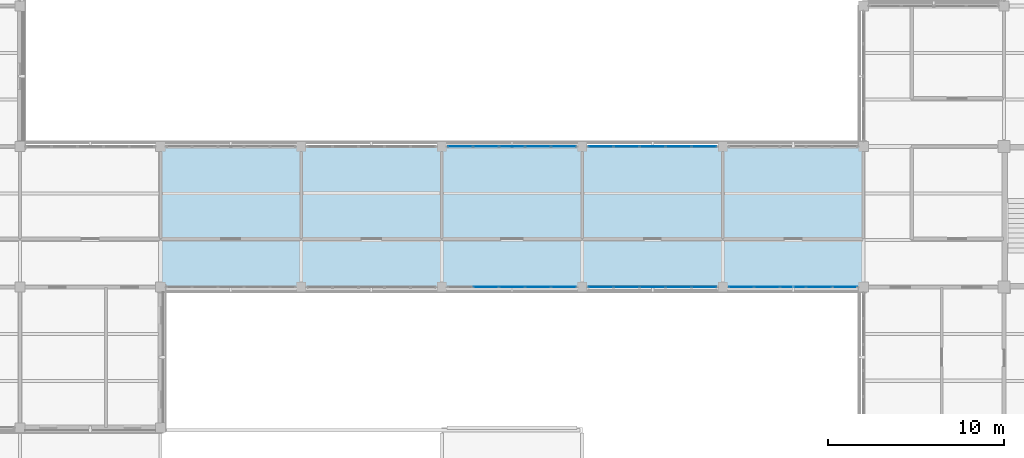
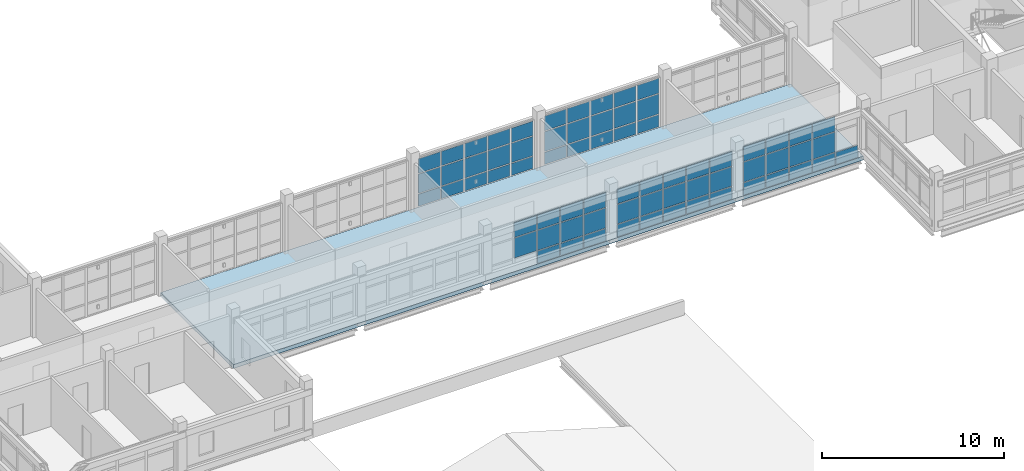
# One storey, part 57 of 107: 69 plates, 1 slab, 5 elements without a shape of their own.
"""IFC4 building model written with IfcOpenShell, lengths in metres."""

from ifc_helpers import new_model, si_unit, derived_unit, direction, frame, origin, origin_2d, place, context, subcontext, project, spatial, polyline, rectangle, outline, extrude, material, layer, layer_set, type_object, element, aggregate, save


model = new_model("IFC4")

# Units and contexts
model_context = context("Model", 3, precision=1e-05, world=origin(), true_north=direction((0.0, 1.0)))
body_context = subcontext(model_context, "Body", "Model", "MODEL_VIEW")
ifc_project = project(units=[si_unit("LENGTHUNIT", "METRE"), si_unit("AREAUNIT", "SQUARE_METRE"), si_unit("VOLUMEUNIT", "CUBIC_METRE"), si_unit("PLANEANGLEUNIT", "RADIAN"), si_unit("MASSUNIT", "GRAM", prefix="KILO"), derived_unit("THERMALTRANSMITTANCEUNIT", [(si_unit("MASSUNIT", "GRAM", prefix="KILO"), 1), (si_unit("TIMEUNIT", "SECOND"), -3), (si_unit("THERMODYNAMICTEMPERATUREUNIT", "KELVIN"), -1)])], contexts=[model_context])

# Site, building, storey
site_placement = place(None, origin())
site = spatial("IfcSite", under=ifc_project, at=site_placement, CompositionType="ELEMENT")
building_placement = place(site_placement, origin())
building = spatial("IfcBuilding", under=site, at=building_placement, Name="Veyamyaing Civic Hall", CompositionType="ELEMENT")
storey_placement = place(building_placement, frame((0.0, 0.0, 13.860107421875)))
storey = spatial("IfcBuildingStorey", under=building, at=storey_placement, Name="L03", CompositionType="ELEMENT", Elevation=13.860107421875)

# Curtain wall, plates
ifc_material_1 = material(Name="Anodised aluminium 6063-T6", Category="aluminium")
ifc_layer_1 = layer(ifc_material_1, 0.139892578125, Name="Anodised aluminium 6063-T6")
ifc_layer_set_1 = layer_set([ifc_layer_1], Name="Anodised aluminium 6063-T6")
curtain_wall_type = type_object("IfcCurtainWallType", Name="CW-04", PredefinedType="NOTDEFINED", material=ifc_layer_set_1)
curtain_wall_1_placement = place(storey_placement, origin())
curtain_wall_1 = element("IfcCurtainWall", 1, at=curtain_wall_1_placement, inside=storey, type_object=curtain_wall_type, Name="Unitized curtain wall CW-04 L03 S 5.7", PredefinedType="NOTDEFINED")
ifc_material_2 = material(Name="Low-E insulated glass", Category="glass")
ifc_layer_2 = layer(ifc_material_2, 0.035888671875, Name="Low-E insulated glass")
ifc_layer_set_2 = layer_set([ifc_layer_2], Name="Low-E insulated glass")
plate_type_1 = type_object("IfcPlateType", Name="CWP-03", PredefinedType="CURTAIN_PANEL", material=ifc_layer_set_2)
plate_1_placement = place(storey_placement, frame((34.52197265625, 48.0, 0.93017578125), z_axis=(0.0, 0.0, 1.0), x_axis=(1.0, 0.0, 0.0)))
plate_1 = element("IfcPlate", 2, at=plate_1_placement, type_object=plate_type_1, Name="CW-04 panel 2.2", PredefinedType="CURTAIN_PANEL", context=body_context, shape_type="SweptSolid", body=[
    extrude(rectangle(XDim=1.41796875, YDim=0.035888671875, at=origin_2d()), origin(), (0.0, 0.0, 1.0), 1.327392578125),
])
plate_2_placement = place(storey_placement, frame((34.52197265625, 48.0, 2.3173828125), z_axis=(0.0, 0.0, 1.0), x_axis=(1.0, 0.0, 0.0)))
plate_2 = element("IfcPlate", 3, at=plate_2_placement, type_object=plate_type_1, Name="CW-04 panel 2.3", PredefinedType="CURTAIN_PANEL", context=body_context, shape_type="SweptSolid", body=[
    extrude(rectangle(XDim=1.41796875, YDim=0.035888671875, at=origin_2d()), origin(), (0.0, 0.0, 1.0), 0.986572265625),
])
plate_3_placement = place(storey_placement, frame((36.0, 48.0, 0.059814453125), z_axis=(0.0, 0.0, 1.0), x_axis=(1.0, 0.0, 0.0)))
plate_3 = element("IfcPlate", 4, at=plate_3_placement, type_object=plate_type_1, Name="CW-04 panel 3.1", PredefinedType="CURTAIN_PANEL", context=body_context, shape_type="SweptSolid", body=[
    extrude(rectangle(XDim=1.41796875, YDim=0.035888671875, at=origin_2d()), origin(), (0.0, 0.0, 1.0), 0.81005859375),
])
plate_4_placement = place(storey_placement, frame((36.0, 48.0, 0.93017578125), z_axis=(0.0, 0.0, 1.0), x_axis=(1.0, 0.0, 0.0)))
plate_4 = element("IfcPlate", 5, at=plate_4_placement, type_object=plate_type_1, Name="CW-04 panel 3.2", PredefinedType="CURTAIN_PANEL", context=body_context, shape_type="SweptSolid", body=[
    extrude(rectangle(XDim=1.41796875, YDim=0.035888671875, at=origin_2d()), origin(), (0.0, 0.0, 1.0), 1.327392578125),
])
plate_5_placement = place(storey_placement, frame((36.0, 48.0, 2.3173828125), z_axis=(0.0, 0.0, 1.0), x_axis=(1.0, 0.0, 0.0)))
plate_5 = element("IfcPlate", 6, at=plate_5_placement, type_object=plate_type_1, Name="CW-04 panel 3.3", PredefinedType="CURTAIN_PANEL", context=body_context, shape_type="SweptSolid", body=[
    extrude(rectangle(XDim=1.41796875, YDim=0.035888671875, at=origin_2d()), origin(), (0.0, 0.0, 1.0), 0.986572265625),
])
plate_6_placement = place(storey_placement, frame((37.47802734375, 48.0, 0.059814453125), z_axis=(0.0, 0.0, 1.0), x_axis=(1.0, 0.0, 0.0)))
plate_6 = element("IfcPlate", 7, at=plate_6_placement, type_object=plate_type_1, Name="CW-04 panel 4.1", PredefinedType="CURTAIN_PANEL", context=body_context, shape_type="SweptSolid", body=[
    extrude(rectangle(XDim=1.41796875, YDim=0.035888671875, at=origin_2d()), origin(), (0.0, 0.0, 1.0), 0.81005859375),
])
plate_7_placement = place(storey_placement, frame((37.47802734375, 48.0, 0.93017578125), z_axis=(0.0, 0.0, 1.0), x_axis=(1.0, 0.0, 0.0)))
plate_7 = element("IfcPlate", 8, at=plate_7_placement, type_object=plate_type_1, Name="CW-04 panel 4.2", PredefinedType="CURTAIN_PANEL", context=body_context, shape_type="SweptSolid", body=[
    extrude(rectangle(XDim=1.41796875, YDim=0.035888671875, at=origin_2d()), origin(), (0.0, 0.0, 1.0), 1.327392578125),
])
plate_8_placement = place(storey_placement, frame((37.47802734375, 48.0, 2.3173828125), z_axis=(0.0, 0.0, 1.0), x_axis=(1.0, 0.0, 0.0)))
plate_8 = element("IfcPlate", 9, at=plate_8_placement, type_object=plate_type_1, Name="CW-04 panel 4.3", PredefinedType="CURTAIN_PANEL", context=body_context, shape_type="SweptSolid", body=[
    extrude(rectangle(XDim=1.41796875, YDim=0.035888671875, at=origin_2d()), origin(), (0.0, 0.0, 1.0), 0.986572265625),
])
plate_9_placement = place(storey_placement, frame((38.94091796875, 48.0, 0.059814453125), z_axis=(0.0, 0.0, 1.0), x_axis=(1.0, 0.0, 0.0)))
plate_9 = element("IfcPlate", 10, at=plate_9_placement, type_object=plate_type_1, Name="CW-04 panel 5.1", PredefinedType="CURTAIN_PANEL", context=body_context, shape_type="SweptSolid", body=[
    extrude(rectangle(XDim=1.387939453125, YDim=0.035888671875, at=origin_2d()), origin(), (0.0, 0.0, 1.0), 0.81005859375),
])
plate_10_placement = place(storey_placement, frame((38.94091796875, 48.0, 0.93017578125), z_axis=(0.0, 0.0, 1.0), x_axis=(1.0, 0.0, 0.0)))
plate_10 = element("IfcPlate", 11, at=plate_10_placement, type_object=plate_type_1, Name="CW-04 panel 5.2", PredefinedType="CURTAIN_PANEL", context=body_context, shape_type="SweptSolid", body=[
    extrude(rectangle(XDim=1.387939453125, YDim=0.035888671875, at=origin_2d()), origin(), (0.0, 0.0, 1.0), 1.327392578125),
])
plate_11_placement = place(storey_placement, frame((38.94091796875, 48.0, 2.3173828125), z_axis=(0.0, 0.0, 1.0), x_axis=(1.0, 0.0, 0.0)))
plate_11 = element("IfcPlate", 12, at=plate_11_placement, type_object=plate_type_1, Name="CW-04 panel 5.3", PredefinedType="CURTAIN_PANEL", context=body_context, shape_type="SweptSolid", body=[
    extrude(rectangle(XDim=1.387939453125, YDim=0.035888671875, at=origin_2d()), origin(), (0.0, 0.0, 1.0), 0.986572265625),
])
aggregate(curtain_wall_1, [plate_1, plate_2, plate_3, plate_4, plate_5, plate_6, plate_7, plate_8, plate_9, plate_10, plate_11])

curtain_wall_2_placement = place(storey_placement, origin())
curtain_wall_2 = element("IfcCurtainWall", 13, at=curtain_wall_2_placement, inside=storey, type_object=curtain_wall_type, Name="Unitized curtain wall CW-04 L03 N 5.7", PredefinedType="NOTDEFINED")
plate_12_placement = place(storey_placement, frame((33.05908203125, 56.0, 0.059814453125), z_axis=(0.0, 0.0, 1.0), x_axis=(1.0, 0.0, 0.0)))
plate_12 = element("IfcPlate", 14, at=plate_12_placement, type_object=plate_type_1, Name="CW-04 panel 1.1", PredefinedType="CURTAIN_PANEL", context=body_context, shape_type="SweptSolid", body=[
    extrude(rectangle(XDim=1.387939453125, YDim=0.035888671875, at=origin_2d()), origin(), (0.0, 0.0, 1.0), 0.81005859375),
])
plate_13_placement = place(storey_placement, frame((33.05908203125, 56.0, 0.929931640625), z_axis=(0.0, 0.0, 1.0), x_axis=(1.0, 0.0, 0.0)))
plate_13 = element("IfcPlate", 15, at=plate_13_placement, type_object=plate_type_1, Name="CW-04 panel 1.2", PredefinedType="CURTAIN_PANEL", context=body_context, shape_type="SweptSolid", body=[
    extrude(rectangle(XDim=1.387939453125, YDim=0.035888671875, at=origin_2d()), origin(), (0.0, 0.0, 1.0), 1.28662109375),
])
plate_14_placement = place(storey_placement, frame((33.05908203125, 56.0, 2.276611328125), z_axis=(0.0, 0.0, 1.0), x_axis=(1.0, 0.0, 0.0)))
plate_14 = element("IfcPlate", 16, at=plate_14_placement, type_object=plate_type_1, Name="CW-04 panel 1.3", PredefinedType="CURTAIN_PANEL", context=body_context, shape_type="SweptSolid", body=[
    extrude(rectangle(XDim=1.387939453125, YDim=0.035888671875, at=origin_2d()), origin(), (0.0, 0.0, 1.0), 0.96728515625),
])
plate_15_placement = place(storey_placement, frame((34.52197265625, 56.0, 0.059814453125), z_axis=(0.0, 0.0, 1.0), x_axis=(1.0, 0.0, 0.0)))
plate_15 = element("IfcPlate", 17, at=plate_15_placement, type_object=plate_type_1, Name="CW-04 panel 2.1", PredefinedType="CURTAIN_PANEL", context=body_context, shape_type="SweptSolid", body=[
    extrude(rectangle(XDim=1.41796875, YDim=0.035888671875, at=origin_2d()), origin(), (0.0, 0.0, 1.0), 0.81005859375),
])
plate_16_placement = place(storey_placement, frame((34.52197265625, 56.0, 0.929931640625), z_axis=(0.0, 0.0, 1.0), x_axis=(1.0, 0.0, 0.0)))
plate_16 = element("IfcPlate", 18, at=plate_16_placement, type_object=plate_type_1, Name="CW-04 panel 2.2", PredefinedType="CURTAIN_PANEL", context=body_context, shape_type="SweptSolid", body=[
    extrude(rectangle(XDim=1.41796875, YDim=0.035888671875, at=origin_2d()), origin(), (0.0, 0.0, 1.0), 1.28662109375),
])
plate_17_placement = place(storey_placement, frame((34.52197265625, 56.0, 2.276611328125), z_axis=(0.0, 0.0, 1.0), x_axis=(1.0, 0.0, 0.0)))
plate_17 = element("IfcPlate", 19, at=plate_17_placement, type_object=plate_type_1, Name="CW-04 panel 2.3", PredefinedType="CURTAIN_PANEL", context=body_context, shape_type="SweptSolid", body=[
    extrude(rectangle(XDim=1.41796875, YDim=0.035888671875, at=origin_2d()), origin(), (0.0, 0.0, 1.0), 0.96728515625),
])
plate_18_placement = place(storey_placement, frame((36.0, 56.0, 0.059814453125), z_axis=(0.0, 0.0, 1.0), x_axis=(1.0, 0.0, 0.0)))
plate_18 = element("IfcPlate", 20, at=plate_18_placement, type_object=plate_type_1, Name="CW-04 panel 3.1", PredefinedType="CURTAIN_PANEL", context=body_context, shape_type="SweptSolid", body=[
    extrude(rectangle(XDim=1.41796875, YDim=0.035888671875, at=origin_2d()), origin(), (0.0, 0.0, 1.0), 0.81005859375),
])
plate_19_placement = place(storey_placement, frame((36.0, 56.0, 0.929931640625), z_axis=(0.0, 0.0, 1.0), x_axis=(1.0, 0.0, 0.0)))
plate_19 = element("IfcPlate", 21, at=plate_19_placement, type_object=plate_type_1, Name="CW-04 panel 3.2", PredefinedType="CURTAIN_PANEL", context=body_context, shape_type="SweptSolid", body=[
    extrude(rectangle(XDim=1.41796875, YDim=0.035888671875, at=origin_2d()), origin(), (0.0, 0.0, 1.0), 1.28662109375),
])
plate_20_placement = place(storey_placement, frame((36.0, 56.0, 2.276611328125), z_axis=(0.0, 0.0, 1.0), x_axis=(1.0, 0.0, 0.0)))
plate_20 = element("IfcPlate", 22, at=plate_20_placement, type_object=plate_type_1, Name="CW-04 panel 3.3", PredefinedType="CURTAIN_PANEL", context=body_context, shape_type="SweptSolid", body=[
    extrude(rectangle(XDim=1.41796875, YDim=0.035888671875, at=origin_2d()), origin(), (0.0, 0.0, 1.0), 0.96728515625),
])
plate_21_placement = place(storey_placement, frame((37.47802734375, 56.0, 0.059814453125), z_axis=(0.0, 0.0, 1.0), x_axis=(1.0, 0.0, 0.0)))
plate_21 = element("IfcPlate", 23, at=plate_21_placement, type_object=plate_type_1, Name="CW-04 panel 4.1", PredefinedType="CURTAIN_PANEL", context=body_context, shape_type="SweptSolid", body=[
    extrude(rectangle(XDim=1.41796875, YDim=0.035888671875, at=origin_2d()), origin(), (0.0, 0.0, 1.0), 0.81005859375),
])
plate_22_placement = place(storey_placement, frame((37.47802734375, 56.0, 0.929931640625), z_axis=(0.0, 0.0, 1.0), x_axis=(1.0, 0.0, 0.0)))
plate_22 = element("IfcPlate", 24, at=plate_22_placement, type_object=plate_type_1, Name="CW-04 panel 4.2", PredefinedType="CURTAIN_PANEL", context=body_context, shape_type="SweptSolid", body=[
    extrude(rectangle(XDim=1.41796875, YDim=0.035888671875, at=origin_2d()), origin(), (0.0, 0.0, 1.0), 1.28662109375),
])
plate_23_placement = place(storey_placement, frame((37.47802734375, 56.0, 2.276611328125), z_axis=(0.0, 0.0, 1.0), x_axis=(1.0, 0.0, 0.0)))
plate_23 = element("IfcPlate", 25, at=plate_23_placement, type_object=plate_type_1, Name="CW-04 panel 4.3", PredefinedType="CURTAIN_PANEL", context=body_context, shape_type="SweptSolid", body=[
    extrude(rectangle(XDim=1.41796875, YDim=0.035888671875, at=origin_2d()), origin(), (0.0, 0.0, 1.0), 0.96728515625),
])
plate_24_placement = place(storey_placement, frame((38.94091796875, 56.0, 0.059814453125), z_axis=(0.0, 0.0, 1.0), x_axis=(1.0, 0.0, 0.0)))
plate_24 = element("IfcPlate", 26, at=plate_24_placement, type_object=plate_type_1, Name="CW-04 panel 5.1", PredefinedType="CURTAIN_PANEL", context=body_context, shape_type="SweptSolid", body=[
    extrude(rectangle(XDim=1.387939453125, YDim=0.035888671875, at=origin_2d()), origin(), (0.0, 0.0, 1.0), 0.81005859375),
])
plate_25_placement = place(storey_placement, frame((38.94091796875, 56.0, 0.929931640625), z_axis=(0.0, 0.0, 1.0), x_axis=(1.0, 0.0, 0.0)))
plate_25 = element("IfcPlate", 27, at=plate_25_placement, type_object=plate_type_1, Name="CW-04 panel 5.2", PredefinedType="CURTAIN_PANEL", context=body_context, shape_type="SweptSolid", body=[
    extrude(rectangle(XDim=1.387939453125, YDim=0.035888671875, at=origin_2d()), origin(), (0.0, 0.0, 1.0), 1.28662109375),
])
plate_26_placement = place(storey_placement, frame((38.94091796875, 56.0, 2.276611328125), z_axis=(0.0, 0.0, 1.0), x_axis=(1.0, 0.0, 0.0)))
plate_26 = element("IfcPlate", 28, at=plate_26_placement, type_object=plate_type_1, Name="CW-04 panel 5.3", PredefinedType="CURTAIN_PANEL", context=body_context, shape_type="SweptSolid", body=[
    extrude(rectangle(XDim=1.387939453125, YDim=0.035888671875, at=origin_2d()), origin(), (0.0, 0.0, 1.0), 0.96728515625),
])
aggregate(curtain_wall_2, [plate_12, plate_13, plate_14, plate_15, plate_16, plate_17, plate_18, plate_19, plate_20, plate_21, plate_22, plate_23, plate_24, plate_25, plate_26])

curtain_wall_3_placement = place(storey_placement, origin())
curtain_wall_3 = element("IfcCurtainWall", 29, at=curtain_wall_3_placement, inside=storey, type_object=curtain_wall_type, Name="Unitized curtain wall CW-04 L03 S 6.7", PredefinedType="NOTDEFINED")
ifc_layer_3 = layer(ifc_material_2, 0.02392578125, Name="Low-E insulated glass")
ifc_layer_set_3 = layer_set([ifc_layer_3], Name="Low-E insulated glass")
plate_type_2 = type_object("IfcPlateType", Name="CWP-04", PredefinedType="CURTAIN_PANEL", material=ifc_layer_set_3)
plate_27_placement = place(storey_placement, frame((41.05908203125, 48.0, 0.059814453125), z_axis=(0.0, 0.0, 1.0), x_axis=(1.0, 0.0, 0.0)))
plate_27 = element("IfcPlate", 30, at=plate_27_placement, type_object=plate_type_2, Name="CW-04 panel 1.1", PredefinedType="CURTAIN_PANEL", context=body_context, shape_type="SweptSolid", body=[
    extrude(rectangle(XDim=1.387939453125, YDim=0.02392578125, at=origin_2d()), origin(), (0.0, 0.0, 1.0), 0.81005859375),
])
plate_28_placement = place(storey_placement, frame((41.05908203125, 48.0, 0.929931640625), z_axis=(0.0, 0.0, 1.0), x_axis=(1.0, 0.0, 0.0)))
plate_28 = element("IfcPlate", 31, at=plate_28_placement, type_object=plate_type_2, Name="CW-04 panel 1.2", PredefinedType="CURTAIN_PANEL", context=body_context, shape_type="SweptSolid", body=[
    extrude(rectangle(XDim=1.387939453125, YDim=0.02392578125, at=origin_2d()), origin(), (0.0, 0.0, 1.0), 1.28662109375),
])
plate_29_placement = place(storey_placement, frame((41.05908203125, 48.0, 2.276611328125), z_axis=(0.0, 0.0, 1.0), x_axis=(1.0, 0.0, 0.0)))
plate_29 = element("IfcPlate", 32, at=plate_29_placement, type_object=plate_type_2, Name="CW-04 panel 1.3", PredefinedType="CURTAIN_PANEL", context=body_context, shape_type="SweptSolid", body=[
    extrude(rectangle(XDim=1.387939453125, YDim=0.02392578125, at=origin_2d()), origin(), (0.0, 0.0, 1.0), 0.96728515625),
])
plate_30_placement = place(storey_placement, frame((42.52197265625, 48.0, 0.059814453125), z_axis=(0.0, 0.0, 1.0), x_axis=(1.0, 0.0, 0.0)))
plate_30 = element("IfcPlate", 33, at=plate_30_placement, type_object=plate_type_2, Name="CW-04 panel 2.1", PredefinedType="CURTAIN_PANEL", context=body_context, shape_type="SweptSolid", body=[
    extrude(rectangle(XDim=1.41796875, YDim=0.02392578125, at=origin_2d()), origin(), (0.0, 0.0, 1.0), 0.81005859375),
])
plate_31_placement = place(storey_placement, frame((42.52197265625, 48.0, 0.929931640625), z_axis=(0.0, 0.0, 1.0), x_axis=(1.0, 0.0, 0.0)))
plate_31 = element("IfcPlate", 34, at=plate_31_placement, type_object=plate_type_2, Name="CW-04 panel 2.2", PredefinedType="CURTAIN_PANEL", context=body_context, shape_type="SweptSolid", body=[
    extrude(rectangle(XDim=1.41796875, YDim=0.02392578125, at=origin_2d()), origin(), (0.0, 0.0, 1.0), 1.28662109375),
])
plate_32_placement = place(storey_placement, frame((42.52197265625, 48.0, 2.276611328125), z_axis=(0.0, 0.0, 1.0), x_axis=(1.0, 0.0, 0.0)))
plate_32 = element("IfcPlate", 35, at=plate_32_placement, type_object=plate_type_2, Name="CW-04 panel 2.3", PredefinedType="CURTAIN_PANEL", context=body_context, shape_type="SweptSolid", body=[
    extrude(rectangle(XDim=1.41796875, YDim=0.02392578125, at=origin_2d()), origin(), (0.0, 0.0, 1.0), 0.96728515625),
])
plate_33_placement = place(storey_placement, frame((44.0, 48.0, 0.059814453125), z_axis=(0.0, 0.0, 1.0), x_axis=(1.0, 0.0, 0.0)))
plate_33 = element("IfcPlate", 36, at=plate_33_placement, type_object=plate_type_2, Name="CW-04 panel 3.1", PredefinedType="CURTAIN_PANEL", context=body_context, shape_type="SweptSolid", body=[
    extrude(rectangle(XDim=1.41796875, YDim=0.02392578125, at=origin_2d()), origin(), (0.0, 0.0, 1.0), 0.81005859375),
])
plate_34_placement = place(storey_placement, frame((44.0, 48.0, 0.929931640625), z_axis=(0.0, 0.0, 1.0), x_axis=(1.0, 0.0, 0.0)))
plate_34 = element("IfcPlate", 37, at=plate_34_placement, type_object=plate_type_2, Name="CW-04 panel 3.2", PredefinedType="CURTAIN_PANEL", context=body_context, shape_type="SweptSolid", body=[
    extrude(rectangle(XDim=1.41796875, YDim=0.02392578125, at=origin_2d()), origin(), (0.0, 0.0, 1.0), 1.28662109375),
])
plate_35_placement = place(storey_placement, frame((44.0, 48.0, 2.276611328125), z_axis=(0.0, 0.0, 1.0), x_axis=(1.0, 0.0, 0.0)))
plate_35 = element("IfcPlate", 38, at=plate_35_placement, type_object=plate_type_2, Name="CW-04 panel 3.3", PredefinedType="CURTAIN_PANEL", context=body_context, shape_type="SweptSolid", body=[
    extrude(rectangle(XDim=1.41796875, YDim=0.02392578125, at=origin_2d()), origin(), (0.0, 0.0, 1.0), 0.96728515625),
])
plate_36_placement = place(storey_placement, frame((45.47802734375, 48.0, 0.059814453125), z_axis=(0.0, 0.0, 1.0), x_axis=(1.0, 0.0, 0.0)))
plate_36 = element("IfcPlate", 39, at=plate_36_placement, type_object=plate_type_2, Name="CW-04 panel 4.1", PredefinedType="CURTAIN_PANEL", context=body_context, shape_type="SweptSolid", body=[
    extrude(rectangle(XDim=1.41796875, YDim=0.02392578125, at=origin_2d()), origin(), (0.0, 0.0, 1.0), 0.81005859375),
])
plate_37_placement = place(storey_placement, frame((45.47802734375, 48.0, 0.929931640625), z_axis=(0.0, 0.0, 1.0), x_axis=(1.0, 0.0, 0.0)))
plate_37 = element("IfcPlate", 40, at=plate_37_placement, type_object=plate_type_2, Name="CW-04 panel 4.2", PredefinedType="CURTAIN_PANEL", context=body_context, shape_type="SweptSolid", body=[
    extrude(rectangle(XDim=1.41796875, YDim=0.02392578125, at=origin_2d()), origin(), (0.0, 0.0, 1.0), 1.28662109375),
])
plate_38_placement = place(storey_placement, frame((45.47802734375, 48.0, 2.276611328125), z_axis=(0.0, 0.0, 1.0), x_axis=(1.0, 0.0, 0.0)))
plate_38 = element("IfcPlate", 41, at=plate_38_placement, type_object=plate_type_2, Name="CW-04 panel 4.3", PredefinedType="CURTAIN_PANEL", context=body_context, shape_type="SweptSolid", body=[
    extrude(rectangle(XDim=1.41796875, YDim=0.02392578125, at=origin_2d()), origin(), (0.0, 0.0, 1.0), 0.96728515625),
])
plate_39_placement = place(storey_placement, frame((46.94091796875, 48.0, 0.059814453125), z_axis=(0.0, 0.0, 1.0), x_axis=(1.0, 0.0, 0.0)))
plate_39 = element("IfcPlate", 42, at=plate_39_placement, type_object=plate_type_2, Name="CW-04 panel 5.1", PredefinedType="CURTAIN_PANEL", context=body_context, shape_type="SweptSolid", body=[
    extrude(rectangle(XDim=1.387939453125, YDim=0.02392578125, at=origin_2d()), origin(), (0.0, 0.0, 1.0), 0.81005859375),
])
plate_40_placement = place(storey_placement, frame((46.94091796875, 48.0, 0.929931640625), z_axis=(0.0, 0.0, 1.0), x_axis=(1.0, 0.0, 0.0)))
plate_40 = element("IfcPlate", 43, at=plate_40_placement, type_object=plate_type_2, Name="CW-04 panel 5.2", PredefinedType="CURTAIN_PANEL", context=body_context, shape_type="SweptSolid", body=[
    extrude(rectangle(XDim=1.387939453125, YDim=0.02392578125, at=origin_2d()), origin(), (0.0, 0.0, 1.0), 1.28662109375),
])
plate_41_placement = place(storey_placement, frame((46.94091796875, 48.0, 2.276611328125), z_axis=(0.0, 0.0, 1.0), x_axis=(1.0, 0.0, 0.0)))
plate_41 = element("IfcPlate", 44, at=plate_41_placement, type_object=plate_type_2, Name="CW-04 panel 5.3", PredefinedType="CURTAIN_PANEL", context=body_context, shape_type="SweptSolid", body=[
    extrude(rectangle(XDim=1.387939453125, YDim=0.02392578125, at=origin_2d()), origin(), (0.0, 0.0, 1.0), 0.96728515625),
])
aggregate(curtain_wall_3, [plate_27, plate_28, plate_29, plate_30, plate_31, plate_32, plate_33, plate_34, plate_35, plate_36, plate_37, plate_38, plate_39, plate_40, plate_41])

curtain_wall_4_placement = place(storey_placement, origin())
curtain_wall_4 = element("IfcCurtainWall", 45, at=curtain_wall_4_placement, inside=storey, type_object=curtain_wall_type, Name="Unitized curtain wall CW-04 L03 N 6.7", PredefinedType="NOTDEFINED")
plate_42_placement = place(storey_placement, frame((41.05908203125, 56.0, 0.059814453125), z_axis=(0.0, 0.0, 1.0), x_axis=(1.0, 0.0, 0.0)))
plate_42 = element("IfcPlate", 46, at=plate_42_placement, type_object=plate_type_2, Name="CW-04 panel 1.1", PredefinedType="CURTAIN_PANEL", context=body_context, shape_type="SweptSolid", body=[
    extrude(rectangle(XDim=1.387939453125, YDim=0.02392578125, at=origin_2d()), origin(), (0.0, 0.0, 1.0), 0.81005859375),
])
plate_43_placement = place(storey_placement, frame((41.05908203125, 56.0, 0.929931640625), z_axis=(0.0, 0.0, 1.0), x_axis=(1.0, 0.0, 0.0)))
plate_43 = element("IfcPlate", 47, at=plate_43_placement, type_object=plate_type_2, Name="CW-04 panel 1.2", PredefinedType="CURTAIN_PANEL", context=body_context, shape_type="SweptSolid", body=[
    extrude(rectangle(XDim=1.387939453125, YDim=0.02392578125, at=origin_2d()), origin(), (0.0, 0.0, 1.0), 1.32958984375),
])
plate_44_placement = place(storey_placement, frame((41.05908203125, 56.0, 2.319580078125), z_axis=(0.0, 0.0, 1.0), x_axis=(1.0, 0.0, 0.0)))
plate_44 = element("IfcPlate", 48, at=plate_44_placement, type_object=plate_type_2, Name="CW-04 panel 1.3", PredefinedType="CURTAIN_PANEL", context=body_context, shape_type="SweptSolid", body=[
    extrude(rectangle(XDim=1.387939453125, YDim=0.02392578125, at=origin_2d()), origin(), (0.0, 0.0, 1.0), 0.9873046875),
])
plate_45_placement = place(storey_placement, frame((42.52197265625, 56.0, 0.059814453125), z_axis=(0.0, 0.0, 1.0), x_axis=(1.0, 0.0, 0.0)))
plate_45 = element("IfcPlate", 49, at=plate_45_placement, type_object=plate_type_2, Name="CW-04 panel 2.1", PredefinedType="CURTAIN_PANEL", context=body_context, shape_type="SweptSolid", body=[
    extrude(rectangle(XDim=1.41796875, YDim=0.02392578125, at=origin_2d()), origin(), (0.0, 0.0, 1.0), 0.81005859375),
])
plate_46_placement = place(storey_placement, frame((42.52197265625, 56.0, 0.929931640625), z_axis=(0.0, 0.0, 1.0), x_axis=(1.0, 0.0, 0.0)))
plate_46 = element("IfcPlate", 50, at=plate_46_placement, type_object=plate_type_2, Name="CW-04 panel 2.2", PredefinedType="CURTAIN_PANEL", context=body_context, shape_type="SweptSolid", body=[
    extrude(rectangle(XDim=1.41796875, YDim=0.02392578125, at=origin_2d()), origin(), (0.0, 0.0, 1.0), 1.32958984375),
])
plate_47_placement = place(storey_placement, frame((42.52197265625, 56.0, 2.319580078125), z_axis=(0.0, 0.0, 1.0), x_axis=(1.0, 0.0, 0.0)))
plate_47 = element("IfcPlate", 51, at=plate_47_placement, type_object=plate_type_2, Name="CW-04 panel 2.3", PredefinedType="CURTAIN_PANEL", context=body_context, shape_type="SweptSolid", body=[
    extrude(rectangle(XDim=1.41796875, YDim=0.02392578125, at=origin_2d()), origin(), (0.0, 0.0, 1.0), 0.9873046875),
])
plate_48_placement = place(storey_placement, frame((44.0, 56.0, 0.059814453125), z_axis=(0.0, 0.0, 1.0), x_axis=(1.0, 0.0, 0.0)))
plate_48 = element("IfcPlate", 52, at=plate_48_placement, type_object=plate_type_2, Name="CW-04 panel 3.1", PredefinedType="CURTAIN_PANEL", context=body_context, shape_type="SweptSolid", body=[
    extrude(rectangle(XDim=1.41796875, YDim=0.02392578125, at=origin_2d()), origin(), (0.0, 0.0, 1.0), 0.81005859375),
])
plate_49_placement = place(storey_placement, frame((44.0, 56.0, 0.929931640625), z_axis=(0.0, 0.0, 1.0), x_axis=(1.0, 0.0, 0.0)))
plate_49 = element("IfcPlate", 53, at=plate_49_placement, type_object=plate_type_2, Name="CW-04 panel 3.2", PredefinedType="CURTAIN_PANEL", context=body_context, shape_type="SweptSolid", body=[
    extrude(rectangle(XDim=1.41796875, YDim=0.02392578125, at=origin_2d()), origin(), (0.0, 0.0, 1.0), 1.32958984375),
])
plate_50_placement = place(storey_placement, frame((44.0, 56.0, 2.319580078125), z_axis=(0.0, 0.0, 1.0), x_axis=(1.0, 0.0, 0.0)))
plate_50 = element("IfcPlate", 54, at=plate_50_placement, type_object=plate_type_2, Name="CW-04 panel 3.3", PredefinedType="CURTAIN_PANEL", context=body_context, shape_type="SweptSolid", body=[
    extrude(rectangle(XDim=1.41796875, YDim=0.02392578125, at=origin_2d()), origin(), (0.0, 0.0, 1.0), 0.9873046875),
])
plate_51_placement = place(storey_placement, frame((45.47802734375, 56.0, 0.059814453125), z_axis=(0.0, 0.0, 1.0), x_axis=(1.0, 0.0, 0.0)))
plate_51 = element("IfcPlate", 55, at=plate_51_placement, type_object=plate_type_2, Name="CW-04 panel 4.1", PredefinedType="CURTAIN_PANEL", context=body_context, shape_type="SweptSolid", body=[
    extrude(rectangle(XDim=1.41796875, YDim=0.02392578125, at=origin_2d()), origin(), (0.0, 0.0, 1.0), 0.81005859375),
])
plate_52_placement = place(storey_placement, frame((45.47802734375, 56.0, 0.929931640625), z_axis=(0.0, 0.0, 1.0), x_axis=(1.0, 0.0, 0.0)))
plate_52 = element("IfcPlate", 56, at=plate_52_placement, type_object=plate_type_2, Name="CW-04 panel 4.2", PredefinedType="CURTAIN_PANEL", context=body_context, shape_type="SweptSolid", body=[
    extrude(rectangle(XDim=1.41796875, YDim=0.02392578125, at=origin_2d()), origin(), (0.0, 0.0, 1.0), 1.32958984375),
])
plate_53_placement = place(storey_placement, frame((45.47802734375, 56.0, 2.319580078125), z_axis=(0.0, 0.0, 1.0), x_axis=(1.0, 0.0, 0.0)))
plate_53 = element("IfcPlate", 57, at=plate_53_placement, type_object=plate_type_2, Name="CW-04 panel 4.3", PredefinedType="CURTAIN_PANEL", context=body_context, shape_type="SweptSolid", body=[
    extrude(rectangle(XDim=1.41796875, YDim=0.02392578125, at=origin_2d()), origin(), (0.0, 0.0, 1.0), 0.9873046875),
])
plate_54_placement = place(storey_placement, frame((46.94091796875, 56.0, 0.059814453125), z_axis=(0.0, 0.0, 1.0), x_axis=(1.0, 0.0, 0.0)))
plate_54 = element("IfcPlate", 58, at=plate_54_placement, type_object=plate_type_2, Name="CW-04 panel 5.1", PredefinedType="CURTAIN_PANEL", context=body_context, shape_type="SweptSolid", body=[
    extrude(rectangle(XDim=1.387939453125, YDim=0.02392578125, at=origin_2d()), origin(), (0.0, 0.0, 1.0), 0.81005859375),
])
plate_55_placement = place(storey_placement, frame((46.94091796875, 56.0, 0.929931640625), z_axis=(0.0, 0.0, 1.0), x_axis=(1.0, 0.0, 0.0)))
plate_55 = element("IfcPlate", 59, at=plate_55_placement, type_object=plate_type_2, Name="CW-04 panel 5.2", PredefinedType="CURTAIN_PANEL", context=body_context, shape_type="SweptSolid", body=[
    extrude(rectangle(XDim=1.387939453125, YDim=0.02392578125, at=origin_2d()), origin(), (0.0, 0.0, 1.0), 1.32958984375),
])
plate_56_placement = place(storey_placement, frame((46.94091796875, 56.0, 2.319580078125), z_axis=(0.0, 0.0, 1.0), x_axis=(1.0, 0.0, 0.0)))
plate_56 = element("IfcPlate", 60, at=plate_56_placement, type_object=plate_type_2, Name="CW-04 panel 5.3", PredefinedType="CURTAIN_PANEL", context=body_context, shape_type="SweptSolid", body=[
    extrude(rectangle(XDim=1.387939453125, YDim=0.02392578125, at=origin_2d()), origin(), (0.0, 0.0, 1.0), 0.9873046875),
])
aggregate(curtain_wall_4, [plate_42, plate_43, plate_44, plate_45, plate_46, plate_47, plate_48, plate_49, plate_50, plate_51, plate_52, plate_53, plate_54, plate_55, plate_56])

curtain_wall_5_placement = place(storey_placement, origin())
curtain_wall_5 = element("IfcCurtainWall", 61, at=curtain_wall_5_placement, inside=storey, type_object=curtain_wall_type, Name="Unitized curtain wall CW-04 L03 S 7.7", PredefinedType="NOTDEFINED")
ifc_layer_4 = layer(ifc_material_2, 0.0400390625, Name="Low-E insulated glass")
ifc_layer_set_4 = layer_set([ifc_layer_4], Name="Low-E insulated glass")
plate_type_3 = type_object("IfcPlateType", Name="CWP-05", PredefinedType="CURTAIN_PANEL", material=ifc_layer_set_4)
plate_57_placement = place(storey_placement, frame((49.05908203125, 48.0, 0.059814453125), z_axis=(0.0, 0.0, 1.0), x_axis=(1.0, 0.0, 0.0)))
plate_57 = element("IfcPlate", 62, at=plate_57_placement, type_object=plate_type_3, Name="CW-04 panel 1.1", PredefinedType="CURTAIN_PANEL", context=body_context, shape_type="SweptSolid", body=[
    extrude(rectangle(XDim=1.387939453125, YDim=0.0400390625, at=origin_2d()), origin(), (0.0, 0.0, 1.0), 0.81005859375),
])
plate_58_placement = place(storey_placement, frame((49.05908203125, 48.0, 0.929931640625), z_axis=(0.0, 0.0, 1.0), x_axis=(1.0, 0.0, 0.0)))
plate_58 = element("IfcPlate", 63, at=plate_58_placement, type_object=plate_type_3, Name="CW-04 panel 1.2", PredefinedType="CURTAIN_PANEL", context=body_context, shape_type="SweptSolid", body=[
    extrude(rectangle(XDim=1.387939453125, YDim=0.0400390625, at=origin_2d()), origin(), (0.0, 0.0, 1.0), 1.32958984375),
])
plate_59_placement = place(storey_placement, frame((49.05908203125, 48.0, 2.319580078125), z_axis=(0.0, 0.0, 1.0), x_axis=(1.0, 0.0, 0.0)))
plate_59 = element("IfcPlate", 64, at=plate_59_placement, type_object=plate_type_3, Name="CW-04 panel 1.3", PredefinedType="CURTAIN_PANEL", context=body_context, shape_type="SweptSolid", body=[
    extrude(rectangle(XDim=1.387939453125, YDim=0.0400390625, at=origin_2d()), origin(), (0.0, 0.0, 1.0), 0.9873046875),
])
plate_60_placement = place(storey_placement, frame((50.52197265625, 48.0, 0.059814453125), z_axis=(0.0, 0.0, 1.0), x_axis=(1.0, 0.0, 0.0)))
plate_60 = element("IfcPlate", 65, at=plate_60_placement, type_object=plate_type_3, Name="CW-04 panel 2.1", PredefinedType="CURTAIN_PANEL", context=body_context, shape_type="SweptSolid", body=[
    extrude(rectangle(XDim=1.41796875, YDim=0.0400390625, at=origin_2d()), origin(), (0.0, 0.0, 1.0), 0.81005859375),
])
plate_61_placement = place(storey_placement, frame((50.52197265625, 48.0, 0.929931640625), z_axis=(0.0, 0.0, 1.0), x_axis=(1.0, 0.0, 0.0)))
plate_61 = element("IfcPlate", 66, at=plate_61_placement, type_object=plate_type_3, Name="CW-04 panel 2.2", PredefinedType="CURTAIN_PANEL", context=body_context, shape_type="SweptSolid", body=[
    extrude(rectangle(XDim=1.41796875, YDim=0.0400390625, at=origin_2d()), origin(), (0.0, 0.0, 1.0), 1.32958984375),
])
plate_62_placement = place(storey_placement, frame((50.52197265625, 48.0, 2.319580078125), z_axis=(0.0, 0.0, 1.0), x_axis=(1.0, 0.0, 0.0)))
plate_62 = element("IfcPlate", 67, at=plate_62_placement, type_object=plate_type_3, Name="CW-04 panel 2.3", PredefinedType="CURTAIN_PANEL", context=body_context, shape_type="SweptSolid", body=[
    extrude(rectangle(XDim=1.41796875, YDim=0.0400390625, at=origin_2d()), origin(), (0.0, 0.0, 1.0), 0.9873046875),
])
plate_63_placement = place(storey_placement, frame((52.0, 48.0, 0.059814453125), z_axis=(0.0, 0.0, 1.0), x_axis=(1.0, 0.0, 0.0)))
plate_63 = element("IfcPlate", 68, at=plate_63_placement, type_object=plate_type_3, Name="CW-04 panel 3.1", PredefinedType="CURTAIN_PANEL", context=body_context, shape_type="SweptSolid", body=[
    extrude(rectangle(XDim=1.41796875, YDim=0.0400390625, at=origin_2d()), origin(), (0.0, 0.0, 1.0), 0.81005859375),
])
plate_64_placement = place(storey_placement, frame((52.0, 48.0, 0.929931640625), z_axis=(0.0, 0.0, 1.0), x_axis=(1.0, 0.0, 0.0)))
plate_64 = element("IfcPlate", 69, at=plate_64_placement, type_object=plate_type_3, Name="CW-04 panel 3.2", PredefinedType="CURTAIN_PANEL", context=body_context, shape_type="SweptSolid", body=[
    extrude(rectangle(XDim=1.41796875, YDim=0.0400390625, at=origin_2d()), origin(), (0.0, 0.0, 1.0), 1.32958984375),
])
plate_65_placement = place(storey_placement, frame((52.0, 48.0, 2.319580078125), z_axis=(0.0, 0.0, 1.0), x_axis=(1.0, 0.0, 0.0)))
plate_65 = element("IfcPlate", 70, at=plate_65_placement, type_object=plate_type_3, Name="CW-04 panel 3.3", PredefinedType="CURTAIN_PANEL", context=body_context, shape_type="SweptSolid", body=[
    extrude(rectangle(XDim=1.41796875, YDim=0.0400390625, at=origin_2d()), origin(), (0.0, 0.0, 1.0), 0.9873046875),
])
plate_66_placement = place(storey_placement, frame((53.47802734375, 48.0, 0.059814453125), z_axis=(0.0, 0.0, 1.0), x_axis=(1.0, 0.0, 0.0)))
plate_66 = element("IfcPlate", 71, at=plate_66_placement, type_object=plate_type_3, Name="CW-04 panel 4.1", PredefinedType="CURTAIN_PANEL", context=body_context, shape_type="SweptSolid", body=[
    extrude(rectangle(XDim=1.41796875, YDim=0.0400390625, at=origin_2d()), origin(), (0.0, 0.0, 1.0), 0.81005859375),
])
plate_67_placement = place(storey_placement, frame((53.47802734375, 48.0, 0.929931640625), z_axis=(0.0, 0.0, 1.0), x_axis=(1.0, 0.0, 0.0)))
plate_67 = element("IfcPlate", 72, at=plate_67_placement, type_object=plate_type_3, Name="CW-04 panel 4.2", PredefinedType="CURTAIN_PANEL", context=body_context, shape_type="SweptSolid", body=[
    extrude(rectangle(XDim=1.41796875, YDim=0.0400390625, at=origin_2d()), origin(), (0.0, 0.0, 1.0), 1.32958984375),
])
plate_68_placement = place(storey_placement, frame((53.47802734375, 48.0, 2.319580078125), z_axis=(0.0, 0.0, 1.0), x_axis=(1.0, 0.0, 0.0)))
plate_68 = element("IfcPlate", 73, at=plate_68_placement, type_object=plate_type_3, Name="CW-04 panel 4.3", PredefinedType="CURTAIN_PANEL", context=body_context, shape_type="SweptSolid", body=[
    extrude(rectangle(XDim=1.41796875, YDim=0.0400390625, at=origin_2d()), origin(), (0.0, 0.0, 1.0), 0.9873046875),
])
plate_69_placement = place(storey_placement, frame((54.94091796875, 48.0, 0.059814453125), z_axis=(0.0, 0.0, 1.0), x_axis=(1.0, 0.0, 0.0)))
plate_69 = element("IfcPlate", 74, at=plate_69_placement, type_object=plate_type_3, Name="CW-04 panel 5.1", PredefinedType="CURTAIN_PANEL", context=body_context, shape_type="SweptSolid", body=[
    extrude(rectangle(XDim=1.387939453125, YDim=0.0400390625, at=origin_2d()), origin(), (0.0, 0.0, 1.0), 0.81005859375),
])
aggregate(curtain_wall_5, [plate_57, plate_58, plate_59, plate_60, plate_61, plate_62, plate_63, plate_64, plate_65, plate_66, plate_67, plate_68, plate_69])

# Slab
ifc_material_3 = material(Name="Concrete C40/50", Category="concrete")
ifc_layer_5 = layer(ifc_material_3, 0.2548828125, Name="Concrete C40/50")
ifc_layer_set_5 = layer_set([ifc_layer_5], Name="Concrete C40/50")
slab_type = type_object("IfcSlabType", Name="SL-05", PredefinedType="FLOOR", material=ifc_layer_set_5)
slab_placement = place(storey_placement, frame((0.0, 0.0, -0.255126953125)))
element("IfcSlab", 75, at=slab_placement, inside=storey, type_object=slab_type, Name="Floor slab SL-05 L03 LNKW.1", PredefinedType="FLOOR", context=body_context, shape_type="SweptSolid", body=[
    extrude(outline(polyline([(16.0, 56.0), (56.0, 56.0), (56.0, 48.0), (16.0, 48.0), (16.0, 56.0)])), origin(), (0.0, 0.0, 1.0), 0.255126953125),
])

save(model, "model.ifc")
